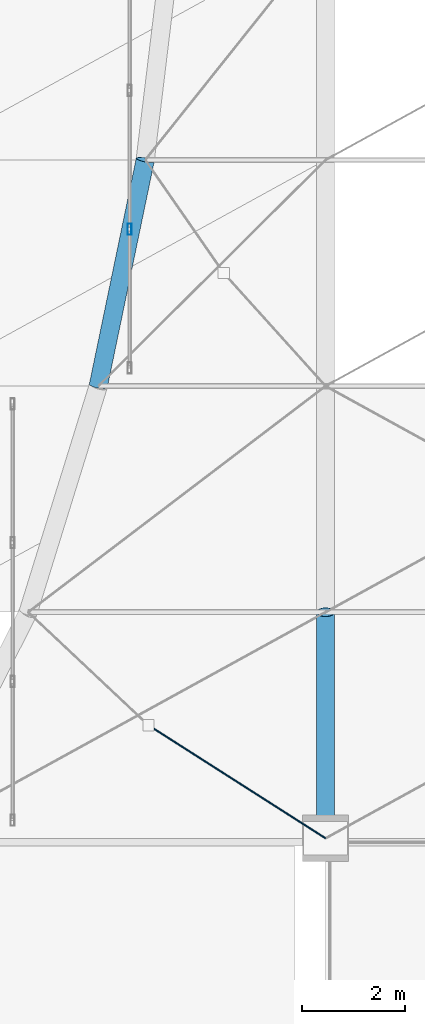
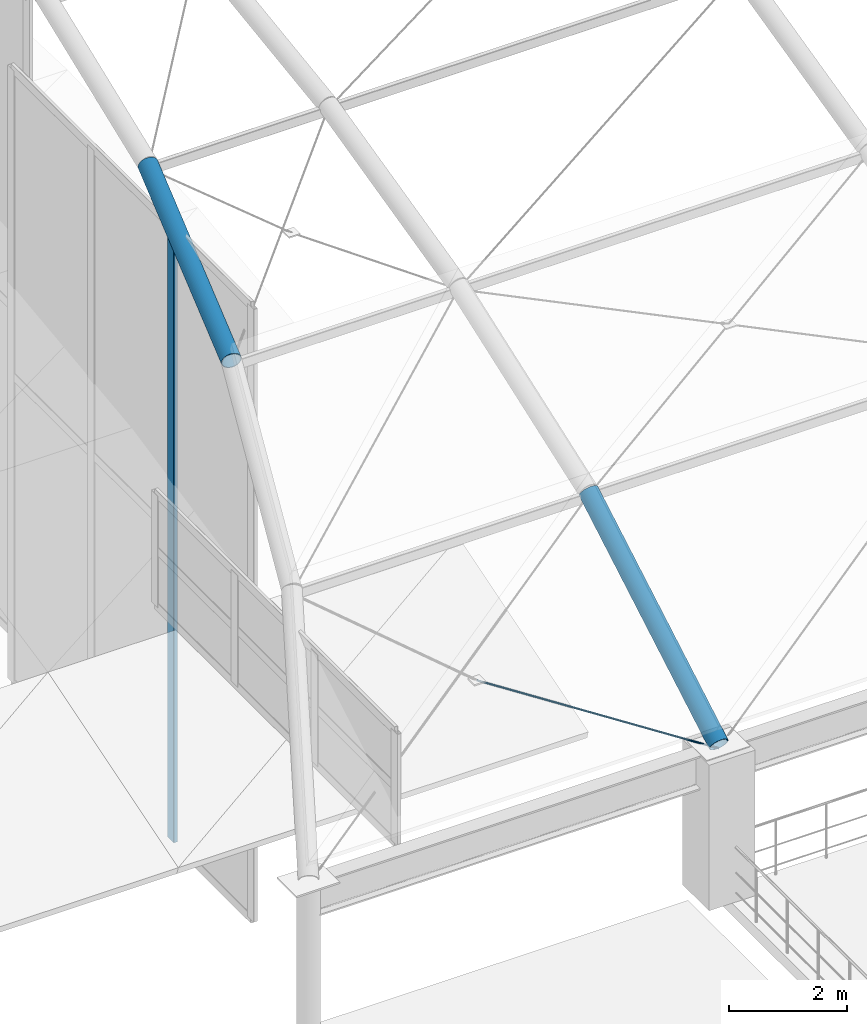
# One storey, part 10 of 163: 2 beams, 2 members, 1 element without a shape of its own.
"""IFC4 building model written with IfcOpenShell, lengths in metres."""

from ifc_helpers import new_model, si_unit, direction, frame, origin, origin_2d, place, context, subcontext, project, spatial, hollow_rectangle, circle, hollow_circle, extrude, material, material_profile, profile_set, type_object, element, aggregate, save


model = new_model("IFC4")

# Units and contexts
model_context = context("Model", 3, precision=1e-05, world=origin(), true_north=direction((0.0, 1.0)))
body_context = subcontext(model_context, "Body", "Model", "MODEL_VIEW")
ifc_project = project(units=[si_unit("LENGTHUNIT", "METRE"), si_unit("AREAUNIT", "SQUARE_METRE"), si_unit("VOLUMEUNIT", "CUBIC_METRE"), si_unit("PLANEANGLEUNIT", "RADIAN"), si_unit("MASSUNIT", "GRAM", prefix="KILO")], contexts=[model_context])

# Site, building, storey
site_placement = place(None, origin())
site = spatial("IfcSite", under=ifc_project, at=site_placement, CompositionType="ELEMENT")
building_placement = place(site_placement, origin())
building = spatial("IfcBuilding", under=site, at=building_placement, Name="Varnabhumi Central Station", CompositionType="ELEMENT")
storey_placement = place(building_placement, frame((0.0, 0.0, 9.60009765625)))
storey = spatial("IfcBuildingStorey", under=building, at=storey_placement, Name="L02", CompositionType="ELEMENT", Elevation=9.60009765625)

# Beams
ifc_material_1 = material(Name="Structural steel E350", Category="steel")
ifc_material_profile_1 = material_profile(ifc_material_1, hollow_circle(Radius=0.177734375, WallThickness=0.012451171875, at=origin_2d()), Name="Structural steel E350", Category="steel")
ifc_profile_set_1 = profile_set([ifc_material_profile_1], Name="Structural steel E350")
beam_type = type_object("IfcBeamType", Name="BM-ARCH-CHS355", PredefinedType="BEAM", material=ifc_profile_set_1)
beam_1_placement = place(storey_placement, frame((19.577392578125, 44.800048828125, 7.127685546875), z_axis=(0.198022514029, 0.953194911277, 0.228487516187), x_axis=(-0.979095067091, 0.20340317008, 0.0)))
element("IfcBeam", 1, at=beam_1_placement, inside=storey, type_object=beam_type, Name="Entrance Portico Vault Arch Rib 1 Seg 3", PredefinedType="BEAM", context=body_context, shape_type="SweptSolid", body=[
    extrude(hollow_circle(Radius=0.177734375, WallThickness=0.012451171875, at=origin_2d()), origin(), (0.0, 0.0, 1.0), 4.615966796875),
])
beam_2_placement = place(storey_placement, frame((24.0, 36.0, 3.0), z_axis=(0.0, 0.86481784928, 0.502085737267), x_axis=(-1.0, 0.0, 0.0)))
element("IfcBeam", 2, at=beam_2_placement, inside=storey, type_object=beam_type, Name="Entrance Portico Vault Arch Rib 2 Seg 1", PredefinedType="BEAM", context=body_context, shape_type="SweptSolid", body=[
    extrude(hollow_circle(Radius=0.177734375, WallThickness=0.012451171875, at=origin_2d()), origin(), (0.0, 0.0, 1.0), 5.087646484375),
])

# Curtain wall, member
ifc_material_2 = material(Name="Anodised aluminium 6063-T6", Category="aluminium")
curtain_wall_type = type_object("IfcCurtainWallType", Name="CW-VAULT-ARCH-V2", PredefinedType="NOTDEFINED", material=ifc_material_2)
curtain_wall_placement = place(storey_placement, origin())
curtain_wall = element("IfcCurtainWall", 3, at=curtain_wall_placement, inside=storey, type_object=curtain_wall_type, Name="Curtain Wall CW-V22", PredefinedType="NOTDEFINED")
ifc_material_profile_2 = material_profile(ifc_material_2, hollow_rectangle(XDim=0.074951171875, YDim=0.219970703125, WallThickness=0.0048828125, InnerFilletRadius=0.0009765625, OuterFilletRadius=0.006103515625, at=origin_2d()), Name="Anodised aluminium 6063-T6", Category="aluminium")
ifc_profile_set_2 = profile_set([ifc_material_profile_2], Name="Anodised aluminium 6063-T6")
member_type_1 = type_object("IfcMemberType", Name="CW-MUL-220", PredefinedType="MULLION", material=ifc_profile_set_2)
member_1_placement = place(storey_placement, frame((20.18798828125, 47.85009765625, -4.800048828125), z_axis=(0.0, 0.0, 1.0), x_axis=(1.0, 0.0, 0.0)))
member_1 = element("IfcMember", 4, at=member_1_placement, type_object=member_type_1, Name="Curtain Wall Mullion CW-V22-M2", PredefinedType="MULLION", context=body_context, shape_type="SweptSolid", body=[
    extrude(hollow_rectangle(XDim=0.074951171875, YDim=0.219970703125, WallThickness=0.0048828125, InnerFilletRadius=0.0009765625, OuterFilletRadius=0.006103515625, at=origin_2d()), origin(), (0.0, 0.0, 1.0), 12.63232421875),
])
aggregate(curtain_wall, [member_1])

# Member
ifc_material_3 = material(Name="Spiral-strand steel S1570", Category="steel")
ifc_material_profile_3 = material_profile(ifc_material_3, circle(Radius=0.01806640625, at=origin_2d()), Name="Spiral-strand steel S1570", Category="steel")
ifc_profile_set_3 = profile_set([ifc_material_profile_3], Name="Spiral-strand steel S1570")
member_type_2 = type_object("IfcMemberType", Name="MBR-CABLE-D36", PredefinedType="USERDEFINED", material=ifc_profile_set_3)
member_2_placement = place(storey_placement, frame((20.553466796875, 38.199951171875, 4.197265625), z_axis=(0.80457147219, -0.513564747178, -0.298187854537), x_axis=(0.538041771468, 0.84291817643, 0.0)))
element("IfcMember", 5, at=member_2_placement, inside=storey, type_object=member_type_2, Name="Entrance Portico Vault Cable-Net Split Tie B1-P1B2", ObjectType="TENSION CABLE", PredefinedType="USERDEFINED", context=body_context, shape_type="SweptSolid", body=[
    extrude(circle(Radius=0.01806640625, at=origin_2d()), origin(), (0.0, 0.0, 1.0), 4.28369140625),
])

save(model, "model.ifc")
